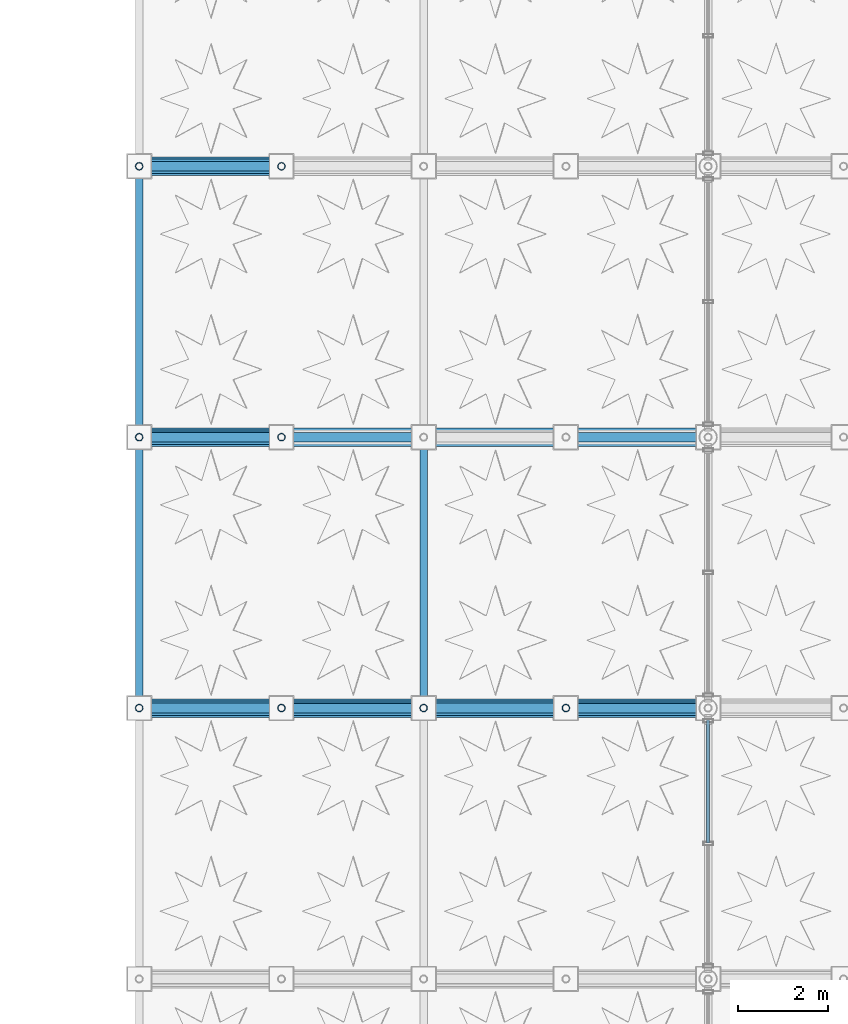
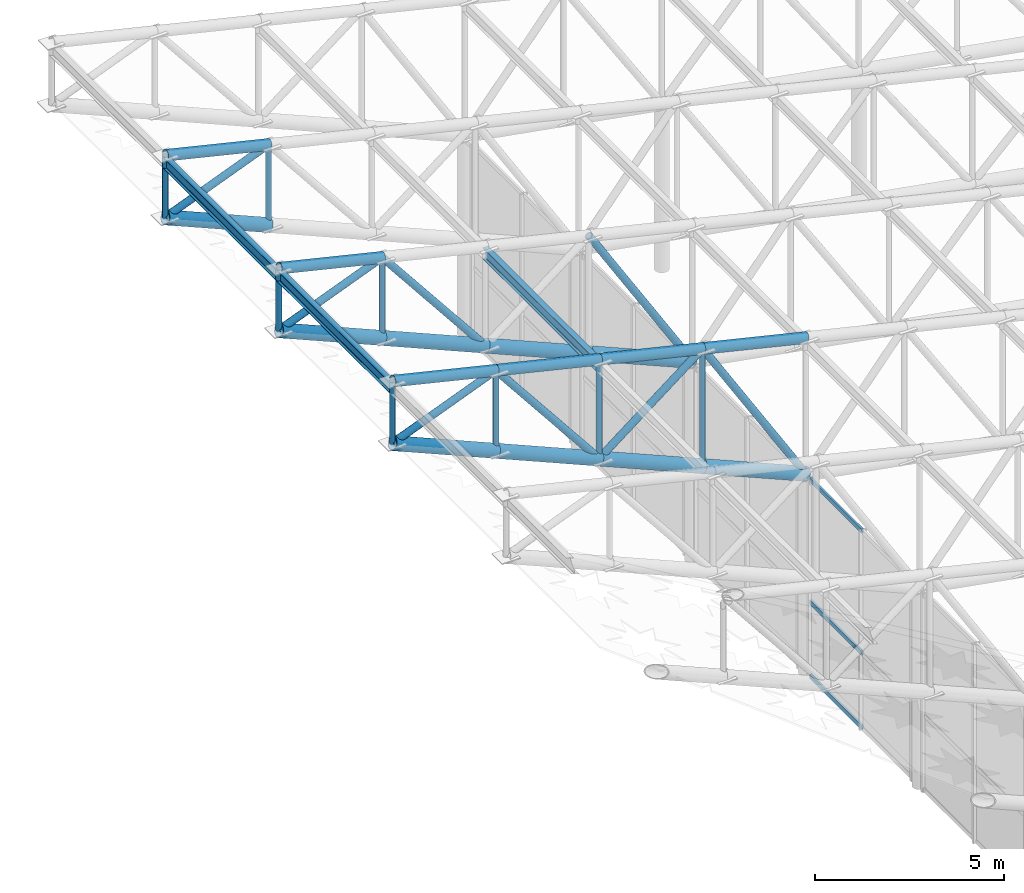
# One storey, part 39 of 112: 34 members, 3 beams, 1 element without a shape of its own.
"""IFC4 building model written with IfcOpenShell, lengths in metres."""

from ifc_helpers import new_model, si_unit, direction, frame, origin, origin_2d, place, context, subcontext, project, spatial, hollow_rectangle, hollow_circle, i_section, extrude, material, material_profile, profile_set, type_object, element, aggregate, save


model = new_model("IFC4")

# Units and contexts
model_context = context("Model", 3, precision=1e-05, world=origin(), true_north=direction((0.0, 1.0)))
body_context = subcontext(model_context, "Body", "Model", "MODEL_VIEW")
ifc_project = project(units=[si_unit("LENGTHUNIT", "METRE"), si_unit("AREAUNIT", "SQUARE_METRE"), si_unit("VOLUMEUNIT", "CUBIC_METRE"), si_unit("PLANEANGLEUNIT", "RADIAN"), si_unit("MASSUNIT", "GRAM", prefix="KILO"), si_unit("THERMODYNAMICTEMPERATUREUNIT", "KELVIN"), si_unit("POWERUNIT", "WATT")], contexts=[model_context])

# Site, building, storey
site_placement = place(None, origin())
site = spatial("IfcSite", under=ifc_project, at=site_placement, CompositionType="ELEMENT")
building_placement = place(site_placement, origin())
building = spatial("IfcBuilding", under=site, at=building_placement, Name="Phaisarnlok Congress Hotel", CompositionType="ELEMENT")
storey_placement = place(building_placement, frame((0.0, 0.0, 19.800048828125)))
storey = spatial("IfcBuildingStorey", under=building, at=storey_placement, Name="L04", CompositionType="ELEMENT", Elevation=19.800048828125)

# Curtain wall, members
ifc_material_1 = material(Name="Thermally Broken Unitised Aluminium & Low-E Glazing", Category="aluminium")
curtain_wall_type = type_object("IfcCurtainWallType", Name="CW-UNIT-45", PredefinedType="NOTDEFINED", material=ifc_material_1)
curtain_wall_placement = place(storey_placement, origin())
curtain_wall = element("IfcCurtainWall", 1, at=curtain_wall_placement, inside=storey, type_object=curtain_wall_type, Name="Unitised curtain wall CW-45 (L04)", PredefinedType="NOTDEFINED")
ifc_material_2 = material(Name="Anodised Aluminium Alloy 6063-T6", Category="aluminium")
ifc_material_profile_1 = material_profile(ifc_material_2, hollow_rectangle(XDim=0.06494140625, YDim=0.139892578125, WallThickness=0.00390625, at=origin_2d()), Name="ALU-T 65x140x4")
ifc_profile_set_1 = profile_set([ifc_material_profile_1], Name="Anodised Aluminium Alloy 6063-T6")
member_type_1 = type_object("IfcMemberType", Name="CWT-150", PredefinedType="USERDEFINED", material=ifc_profile_set_1)
member_1_placement = place(storey_placement, frame((120.0, 65.739990234375, 0.0400390625), z_axis=(0.0, -1.0, 0.0), x_axis=(1.0, 0.0, 0.0)))
member_1 = element("IfcMember", 2, at=member_1_placement, type_object=member_type_1, Name="Curtain wall transom CWT-01", ObjectType="TRANSOM", PredefinedType="USERDEFINED", context=body_context, shape_type="SweptSolid", body=[
    extrude(hollow_rectangle(XDim=0.06494140625, YDim=0.139892578125, WallThickness=0.00390625, at=origin_2d()), origin(), (0.0, 0.0, 1.0), 2.72509765625),
])
member_2_placement = place(storey_placement, frame((120.0, 65.739990234375, 2.433349609375), z_axis=(0.0, -1.0, 0.0), x_axis=(1.0, 0.0, 0.0)))
member_2 = element("IfcMember", 3, at=member_2_placement, type_object=member_type_1, Name="Curtain wall transom CWT-01", ObjectType="TRANSOM", PredefinedType="USERDEFINED", context=body_context, shape_type="SweptSolid", body=[
    extrude(hollow_rectangle(XDim=0.06494140625, YDim=0.139892578125, WallThickness=0.00390625, at=origin_2d()), origin(), (0.0, 0.0, 1.0), 2.72509765625),
])
member_3_placement = place(storey_placement, frame((120.0, 65.739990234375, 6.369873046875), z_axis=(0.0, -1.0, 0.0), x_axis=(1.0, 0.0, 0.0)))
member_3 = element("IfcMember", 4, at=member_3_placement, type_object=member_type_1, Name="Curtain wall transom CWT-01", ObjectType="TRANSOM", PredefinedType="USERDEFINED", context=body_context, shape_type="SweptSolid", body=[
    extrude(hollow_rectangle(XDim=0.06494140625, YDim=0.139892578125, WallThickness=0.00390625, at=origin_2d()), origin(), (0.0, 0.0, 1.0), 2.72509765625),
])
aggregate(curtain_wall, [member_1, member_2, member_3])

# Beams
ifc_material_3 = material(Name="Steel S355", Category="steel")
ifc_material_profile_2 = material_profile(ifc_material_3, i_section(OverallWidth=0.169921875, OverallDepth=0.360107421875, WebThickness=0.008056640625, FlangeThickness=0.0126953125, FilletRadius=0.01806640625, at=origin_2d()), Name="IPE 360")
ifc_profile_set_2 = profile_set([ifc_material_profile_2], Name="Steel S355")
beam_type = type_object("IfcBeamType", Name="JS-STL-IPE360-EXT", PredefinedType="JOIST", material=ifc_profile_set_2)
for number, where, z_axis, x_axis, name in (
    (5, (113.699951171875, 66.0, 12.104248046875), (0.0, 1.0, 0.0), (-1.0, 0.0, 0.0), "Cloister wing roof purlin"),
    (6, (107.39990234375, 66.0, 13.60791015625), (0.0, 1.0, 0.0), (-1.0, 0.0, 0.0), "Cloister wing roof purlin"),
    (7, (107.39990234375, 72.0, 13.60791015625), (0.0, 1.0, 0.0), (-1.0, 0.0, 0.0), "Cloister wing roof purlin"),
):
    element("IfcBeam", number, at=place(storey_placement, frame(where, z_axis=z_axis, x_axis=x_axis)), inside=storey, type_object=beam_type, Name=name, PredefinedType="JOIST", context=body_context, shape_type="SweptSolid", body=[
        extrude(i_section(OverallWidth=0.169921875, OverallDepth=0.360107421875, WebThickness=0.008056640625, FlangeThickness=0.0126953125, FilletRadius=0.01806640625, at=origin_2d()), origin(), (0.0, 0.0, 1.0), 6.0),
    ])

# Members
ifc_material_profile_3 = material_profile(ifc_material_3, hollow_circle(Radius=0.084228515625, WallThickness=0.010009765625, at=origin_2d()), Name="CHS 168.3x10")
ifc_profile_set_3 = profile_set([ifc_material_profile_3], Name="Steel S355")
member_type_2 = type_object("IfcMemberType", Name="MEM-BRC-CHS168-EXT", PredefinedType="BRACE", material=ifc_profile_set_3)
member_4_placement = place(storey_placement, frame((116.85009765625, 66.0, 7.75), z_axis=(0.0, 0.0, 1.0), x_axis=(1.0, 0.0, 0.0)))
element("IfcMember", 8, at=member_4_placement, inside=storey, type_object=member_type_2, Name="Cloister wing roof truss vertical web", PredefinedType="BRACE", context=body_context, shape_type="SweptSolid", body=[
    extrude(hollow_circle(Radius=0.084228515625, WallThickness=0.010009765625, at=origin_2d()), origin(), (0.0, 0.0, 1.0), 3.79443359375),
])
member_5_placement = place(storey_placement, frame((113.699951171875, 66.0, 9.099853515625), z_axis=(0.0, 0.0, 1.0), x_axis=(1.0, 0.0, 0.0)))
element("IfcMember", 9, at=member_5_placement, inside=storey, type_object=member_type_2, Name="Cloister wing roof truss vertical web", PredefinedType="BRACE", context=body_context, shape_type="SweptSolid", body=[
    extrude(hollow_circle(Radius=0.084228515625, WallThickness=0.010009765625, at=origin_2d()), origin(), (0.0, 0.0, 1.0), 3.1962890625),
])
member_6_placement = place(storey_placement, frame((110.550048828125, 66.0, 10.449951171875), z_axis=(0.0, 0.0, 1.0), x_axis=(1.0, 0.0, 0.0)))
element("IfcMember", 10, at=member_6_placement, inside=storey, type_object=member_type_2, Name="Cloister wing roof truss vertical web", PredefinedType="BRACE", context=body_context, shape_type="SweptSolid", body=[
    extrude(hollow_circle(Radius=0.084228515625, WallThickness=0.010009765625, at=origin_2d()), origin(), (0.0, 0.0, 1.0), 2.59814453125),
])
member_7_placement = place(storey_placement, frame((107.39990234375, 66.0, 11.800048828125), z_axis=(0.0, 0.0, 1.0), x_axis=(1.0, 0.0, 0.0)))
element("IfcMember", 11, at=member_7_placement, inside=storey, type_object=member_type_2, Name="Cloister wing roof truss vertical web", PredefinedType="BRACE", context=body_context, shape_type="SweptSolid", body=[
    extrude(hollow_circle(Radius=0.084228515625, WallThickness=0.010009765625, at=origin_2d()), origin(), (0.0, 0.0, 1.0), 2.0),
])
member_8_placement = place(storey_placement, frame((110.550048828125, 72.0, 10.449951171875), z_axis=(0.0, 0.0, 1.0), x_axis=(1.0, 0.0, 0.0)))
element("IfcMember", 12, at=member_8_placement, inside=storey, type_object=member_type_2, Name="Cloister wing roof truss vertical web", PredefinedType="BRACE", context=body_context, shape_type="SweptSolid", body=[
    extrude(hollow_circle(Radius=0.084228515625, WallThickness=0.010009765625, at=origin_2d()), origin(), (0.0, 0.0, 1.0), 2.59814453125),
])
member_9_placement = place(storey_placement, frame((107.39990234375, 72.0, 11.800048828125), z_axis=(0.0, 0.0, 1.0), x_axis=(1.0, 0.0, 0.0)))
element("IfcMember", 13, at=member_9_placement, inside=storey, type_object=member_type_2, Name="Cloister wing roof truss vertical web", PredefinedType="BRACE", context=body_context, shape_type="SweptSolid", body=[
    extrude(hollow_circle(Radius=0.084228515625, WallThickness=0.010009765625, at=origin_2d()), origin(), (0.0, 0.0, 1.0), 2.0),
])
member_10_placement = place(storey_placement, frame((110.550048828125, 78.0, 10.449951171875), z_axis=(0.0, 0.0, 1.0), x_axis=(1.0, 0.0, 0.0)))
element("IfcMember", 14, at=member_10_placement, inside=storey, type_object=member_type_2, Name="Cloister wing roof truss vertical web", PredefinedType="BRACE", context=body_context, shape_type="SweptSolid", body=[
    extrude(hollow_circle(Radius=0.084228515625, WallThickness=0.010009765625, at=origin_2d()), origin(), (0.0, 0.0, 1.0), 2.59814453125),
])
member_11_placement = place(storey_placement, frame((107.39990234375, 78.0, 11.800048828125), z_axis=(0.0, 0.0, 1.0), x_axis=(1.0, 0.0, 0.0)))
element("IfcMember", 15, at=member_11_placement, inside=storey, type_object=member_type_2, Name="Cloister wing roof truss vertical web", PredefinedType="BRACE", context=body_context, shape_type="SweptSolid", body=[
    extrude(hollow_circle(Radius=0.084228515625, WallThickness=0.010009765625, at=origin_2d()), origin(), (0.0, 0.0, 1.0), 2.0),
])
ifc_material_profile_4 = material_profile(ifc_material_3, hollow_circle(Radius=0.109619140625, WallThickness=0.012451171875, at=origin_2d()), Name="CHS 219.1x12.5")
ifc_profile_set_4 = profile_set([ifc_material_profile_4], Name="Steel S355")
member_type_3 = type_object("IfcMemberType", Name="MEM-BRC-CHS219-EXT", PredefinedType="BRACE", material=ifc_profile_set_4)
member_12_placement = place(storey_placement, frame((120.0, 66.0, 6.39990234375), z_axis=(-0.522176688857, 0.0, 0.852837326584), x_axis=(0.0, -1.0, 0.0)))
element("IfcMember", 16, at=member_12_placement, inside=storey, type_object=member_type_3, Name="Cloister wing roof truss diagonal brace", PredefinedType="BRACE", context=body_context, shape_type="SweptSolid", body=[
    extrude(hollow_circle(Radius=0.109619140625, WallThickness=0.012451171875, at=origin_2d()), origin(), (0.0, 0.0, 1.0), 6.0322265625),
])
member_13_placement = place(storey_placement, frame((113.699951171875, 66.0, 9.099853515625), z_axis=(0.790024309268, 0.0, 0.613075517996), x_axis=(0.0, 1.0, 0.0)))
element("IfcMember", 17, at=member_13_placement, inside=storey, type_object=member_type_3, Name="Cloister wing roof truss diagonal brace", PredefinedType="BRACE", context=body_context, shape_type="SweptSolid", body=[
    extrude(hollow_circle(Radius=0.109619140625, WallThickness=0.012451171875, at=origin_2d()), origin(), (0.0, 0.0, 1.0), 3.9873046875),
])
member_14_placement = place(storey_placement, frame((113.699951171875, 66.0, 9.099853515625), z_axis=(-0.623645214912, 0.0, 0.78170751942), x_axis=(0.0, -1.0, 0.0)))
element("IfcMember", 18, at=member_14_placement, inside=storey, type_object=member_type_3, Name="Cloister wing roof truss diagonal brace", PredefinedType="BRACE", context=body_context, shape_type="SweptSolid", body=[
    extrude(hollow_circle(Radius=0.109619140625, WallThickness=0.012451171875, at=origin_2d()), origin(), (0.0, 0.0, 1.0), 5.05078125),
])
member_15_placement = place(storey_placement, frame((107.39990234375, 66.0, 11.800048828125), z_axis=(0.929694070323, 0.0, 0.368332642602), x_axis=(0.0, 1.0, 0.0)))
element("IfcMember", 19, at=member_15_placement, inside=storey, type_object=member_type_3, Name="Cloister wing roof truss diagonal brace", PredefinedType="BRACE", context=body_context, shape_type="SweptSolid", body=[
    extrude(hollow_circle(Radius=0.109619140625, WallThickness=0.012451171875, at=origin_2d()), origin(), (0.0, 0.0, 1.0), 3.388427734375),
])
member_16_placement = place(storey_placement, frame((120.0, 72.0, 6.39990234375), z_axis=(-0.522176688857, 0.0, 0.852837326584), x_axis=(0.0, -1.0, 0.0)))
element("IfcMember", 20, at=member_16_placement, inside=storey, type_object=member_type_3, Name="Cloister wing roof truss diagonal brace", PredefinedType="BRACE", context=body_context, shape_type="SweptSolid", body=[
    extrude(hollow_circle(Radius=0.109619140625, WallThickness=0.012451171875, at=origin_2d()), origin(), (0.0, 0.0, 1.0), 6.0322265625),
])
member_17_placement = place(storey_placement, frame((113.699951171875, 72.0, 9.099853515625), z_axis=(-0.623645214912, 0.0, 0.78170751942), x_axis=(0.0, -1.0, 0.0)))
element("IfcMember", 21, at=member_17_placement, inside=storey, type_object=member_type_3, Name="Cloister wing roof truss diagonal brace", PredefinedType="BRACE", context=body_context, shape_type="SweptSolid", body=[
    extrude(hollow_circle(Radius=0.109619140625, WallThickness=0.012451171875, at=origin_2d()), origin(), (0.0, 0.0, 1.0), 5.05078125),
])
for number, where, z_axis, x_axis, name in (
    (22, (107.39990234375, 72.0, 11.800048828125), (0.929694070323, 0.0, 0.368332642602), (0.0, 1.0, 0.0), "Cloister wing roof truss diagonal brace"),
    (23, (107.39990234375, 78.0, 11.800048828125), (0.929694070323, 0.0, 0.368332642602), (0.0, 1.0, 0.0), "Cloister wing roof truss diagonal brace"),
):
    element("IfcMember", number, at=place(storey_placement, frame(where, z_axis=z_axis, x_axis=x_axis)), inside=storey, type_object=member_type_3, Name=name, PredefinedType="BRACE", context=body_context, shape_type="SweptSolid", body=[
        extrude(hollow_circle(Radius=0.109619140625, WallThickness=0.012451171875, at=origin_2d()), origin(), (0.0, 0.0, 1.0), 3.388427734375),
    ])
ifc_material_profile_5 = material_profile(ifc_material_3, hollow_circle(Radius=0.161865234375, WallThickness=0.01611328125, at=origin_2d()), Name="CHS 323.9x16")
ifc_profile_set_5 = profile_set([ifc_material_profile_5], Name="Steel S355")
member_type_4 = type_object("IfcMemberType", Name="MEM-CHD-CHS324-EXT", PredefinedType="CHORD", material=ifc_profile_set_5)
for number, where, z_axis, x_axis, name in (
    (24, (120.0, 66.0, 10.79248046875), (-0.972668531165, 0.0, 0.232198037203), (0.0, -1.0, 0.0), "Cloister wing roof truss top chord"),
    (25, (116.85009765625, 66.0, 11.54443359375), (-0.972689617372, 0.0, 0.232109690141), (0.0, -1.0, 0.0), "Cloister wing roof truss top chord"),
    (26, (113.699951171875, 66.0, 12.296142578125), (-0.972668531165, 0.0, 0.232198037203), (0.0, -1.0, 0.0), "Cloister wing roof truss top chord"),
):
    element("IfcMember", number, at=place(storey_placement, frame(where, z_axis=z_axis, x_axis=x_axis)), inside=storey, type_object=member_type_4, Name=name, PredefinedType="CHORD", context=body_context, shape_type="SweptSolid", body=[
        extrude(hollow_circle(Radius=0.161865234375, WallThickness=0.01611328125, at=origin_2d()), origin(), (0.0, 0.0, 1.0), 3.238525390625),
    ])
for number, where, z_axis, x_axis, name in (
    (27, (110.550048828125, 66.0, 13.048095703125), (-0.972672595385, 0.0, 0.232181011686), (0.0, -1.0, 0.0), "Cloister wing roof truss top chord"),
    (28, (110.550048828125, 72.0, 13.048095703125), (-0.972672595385, 0.0, 0.232181011686), (0.0, -1.0, 0.0), "Cloister wing roof truss top chord"),
    (29, (110.550048828125, 78.0, 13.048095703125), (-0.972672595385, 0.0, 0.232181011686), (0.0, -1.0, 0.0), "Cloister wing roof truss top chord"),
):
    element("IfcMember", number, at=place(storey_placement, frame(where, z_axis=z_axis, x_axis=x_axis)), inside=storey, type_object=member_type_4, Name=name, PredefinedType="CHORD", context=body_context, shape_type="SweptSolid", body=[
        extrude(hollow_circle(Radius=0.161865234375, WallThickness=0.01611328125, at=origin_2d()), origin(), (0.0, 0.0, 1.0), 3.23876953125),
    ])
ifc_material_profile_6 = material_profile(ifc_material_3, hollow_circle(Radius=0.203125, WallThickness=0.02001953125, at=origin_2d()), Name="CHS 406.4x20")
ifc_profile_set_6 = profile_set([ifc_material_profile_6], Name="Steel S355")
member_type_5 = type_object("IfcMemberType", Name="MEM-CHD-CHS406-EXT", PredefinedType="CHORD", material=ifc_profile_set_6)
member_18_placement = place(storey_placement, frame((120.0, 66.0, 6.39990234375), z_axis=(-0.919130290196, 0.0, 0.393953689721), x_axis=(0.0, -1.0, 0.0)))
element("IfcMember", 30, at=member_18_placement, inside=storey, type_object=member_type_5, Name="Cloister wing roof truss bottom chord", PredefinedType="CHORD", context=body_context, shape_type="SweptSolid", body=[
    extrude(hollow_circle(Radius=0.203125, WallThickness=0.02001953125, at=origin_2d()), origin(), (0.0, 0.0, 1.0), 3.427001953125),
])
member_19_placement = place(storey_placement, frame((116.85009765625, 66.0, 7.75), z_axis=(-0.919167136512, 0.0, 0.393867712762), x_axis=(0.0, -1.0, 0.0)))
element("IfcMember", 31, at=member_19_placement, inside=storey, type_object=member_type_5, Name="Cloister wing roof truss bottom chord", PredefinedType="CHORD", context=body_context, shape_type="SweptSolid", body=[
    extrude(hollow_circle(Radius=0.203125, WallThickness=0.02001953125, at=origin_2d()), origin(), (0.0, 0.0, 1.0), 3.42724609375),
])
member_20_placement = place(storey_placement, frame((113.699951171875, 66.0, 9.099853515625), z_axis=(-0.919130290196, 0.0, 0.393953689721), x_axis=(0.0, -1.0, 0.0)))
element("IfcMember", 32, at=member_20_placement, inside=storey, type_object=member_type_5, Name="Cloister wing roof truss bottom chord", PredefinedType="CHORD", context=body_context, shape_type="SweptSolid", body=[
    extrude(hollow_circle(Radius=0.203125, WallThickness=0.02001953125, at=origin_2d()), origin(), (0.0, 0.0, 1.0), 3.427001953125),
])
member_21_placement = place(storey_placement, frame((110.550048828125, 66.0, 10.449951171875), z_axis=(-0.919141345424, 0.0, 0.393927895853), x_axis=(0.0, -1.0, 0.0)))
element("IfcMember", 33, at=member_21_placement, inside=storey, type_object=member_type_5, Name="Cloister wing roof truss bottom chord", PredefinedType="CHORD", context=body_context, shape_type="SweptSolid", body=[
    extrude(hollow_circle(Radius=0.203125, WallThickness=0.02001953125, at=origin_2d()), origin(), (0.0, 0.0, 1.0), 3.42724609375),
])
member_22_placement = place(storey_placement, frame((120.0, 72.0, 6.39990234375), z_axis=(-0.919130290196, 0.0, 0.393953689721), x_axis=(0.0, -1.0, 0.0)))
element("IfcMember", 34, at=member_22_placement, inside=storey, type_object=member_type_5, Name="Cloister wing roof truss bottom chord", PredefinedType="CHORD", context=body_context, shape_type="SweptSolid", body=[
    extrude(hollow_circle(Radius=0.203125, WallThickness=0.02001953125, at=origin_2d()), origin(), (0.0, 0.0, 1.0), 3.427001953125),
])
member_23_placement = place(storey_placement, frame((116.85009765625, 72.0, 7.75), z_axis=(-0.919167136512, 0.0, 0.393867712762), x_axis=(0.0, -1.0, 0.0)))
element("IfcMember", 35, at=member_23_placement, inside=storey, type_object=member_type_5, Name="Cloister wing roof truss bottom chord", PredefinedType="CHORD", context=body_context, shape_type="SweptSolid", body=[
    extrude(hollow_circle(Radius=0.203125, WallThickness=0.02001953125, at=origin_2d()), origin(), (0.0, 0.0, 1.0), 3.42724609375),
])
member_24_placement = place(storey_placement, frame((113.699951171875, 72.0, 9.099853515625), z_axis=(-0.919130290196, 0.0, 0.393953689721), x_axis=(0.0, -1.0, 0.0)))
element("IfcMember", 36, at=member_24_placement, inside=storey, type_object=member_type_5, Name="Cloister wing roof truss bottom chord", PredefinedType="CHORD", context=body_context, shape_type="SweptSolid", body=[
    extrude(hollow_circle(Radius=0.203125, WallThickness=0.02001953125, at=origin_2d()), origin(), (0.0, 0.0, 1.0), 3.427001953125),
])
for number, where, z_axis, x_axis, name in (
    (37, (110.550048828125, 72.0, 10.449951171875), (-0.919141345424, 0.0, 0.393927895853), (0.0, -1.0, 0.0), "Cloister wing roof truss bottom chord"),
    (38, (110.550048828125, 78.0, 10.449951171875), (-0.919141345424, 0.0, 0.393927895853), (0.0, -1.0, 0.0), "Cloister wing roof truss bottom chord"),
):
    element("IfcMember", number, at=place(storey_placement, frame(where, z_axis=z_axis, x_axis=x_axis)), inside=storey, type_object=member_type_5, Name=name, PredefinedType="CHORD", context=body_context, shape_type="SweptSolid", body=[
        extrude(hollow_circle(Radius=0.203125, WallThickness=0.02001953125, at=origin_2d()), origin(), (0.0, 0.0, 1.0), 3.42724609375),
    ])

save(model, "model.ifc")
